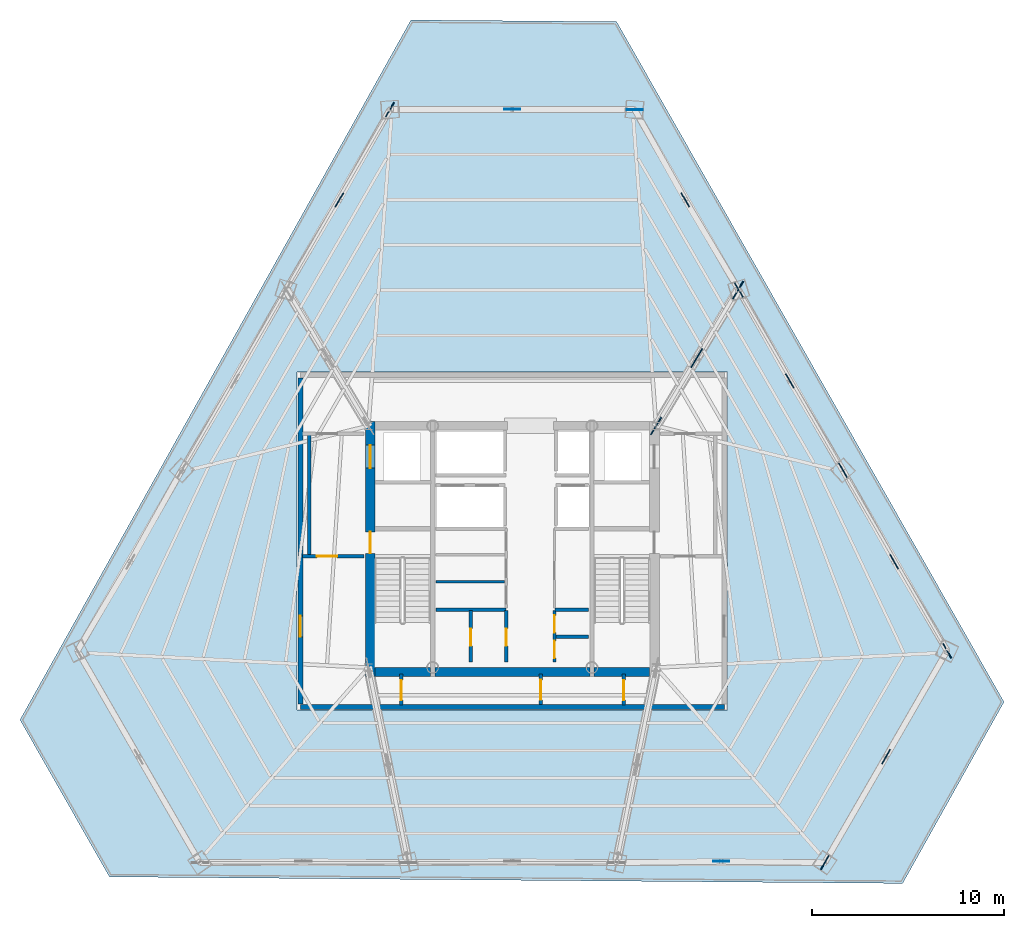
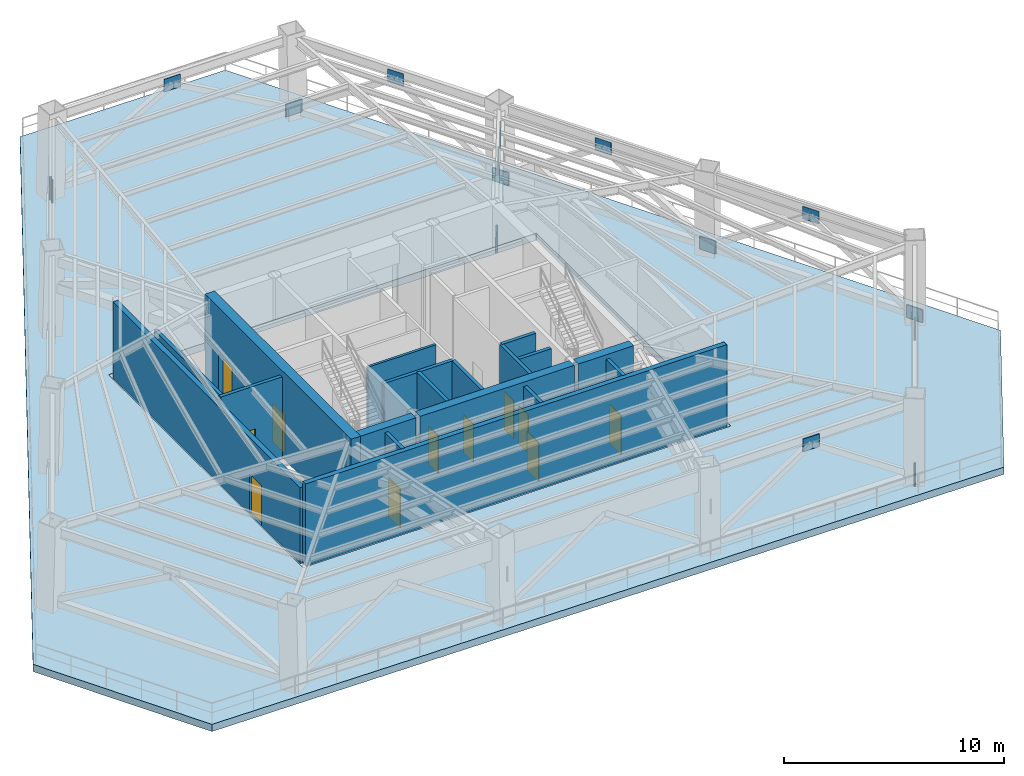
# One storey, part 5 of 12: 18 walls, 16 plates, 11 doors, 1 slab, 11 openings.
"""IFC4 building model written with IfcOpenShell, lengths in metres."""

from ifc_helpers import new_model, si_unit, direction, frame, frame_2d, origin, origin_2d, place, context, subcontext, project, spatial, polyline, rectangle, outline, extrude, source, transform, mapped, material, layer, layer_set, type_object, type_shapes, element, fill, save


model = new_model("IFC4")

# Units and contexts
model_context = context("Model", 3, precision=1e-05, world=origin(), true_north=direction((0.0, 1.0)))
body_context = subcontext(model_context, "Body", "Model", "MODEL_VIEW")
ifc_project = project(units=[si_unit("LENGTHUNIT", "METRE"), si_unit("AREAUNIT", "SQUARE_METRE"), si_unit("VOLUMEUNIT", "CUBIC_METRE"), si_unit("PLANEANGLEUNIT", "RADIAN"), si_unit("MASSUNIT", "GRAM", prefix="KILO")], contexts=[model_context])

# Site, building, storey
site_placement = place(None, origin())
site = spatial("IfcSite", under=ifc_project, at=site_placement, CompositionType="ELEMENT")
building_placement = place(site_placement, origin())
building = spatial("IfcBuilding", under=site, at=building_placement, Name="Caelisora Broadcast Tower", CompositionType="ELEMENT")
storey_placement = place(building_placement, frame((0.0, 0.0, 150.050048828125)))
storey = spatial("IfcBuildingStorey", under=building, at=storey_placement, Name="L39", CompositionType="ELEMENT", Elevation=150.050048828125)

# Slab
ifc_material_1 = material(Name="Concrete 50 MPa (AS 3600 S50)", Category="concrete")
ifc_layer_1 = layer(ifc_material_1, 0.39990234375, Name="Concrete 50 MPa (AS 3600 S50)")
ifc_layer_set_1 = layer_set([ifc_layer_1], Name="Concrete 50 MPa (AS 3600 S50)")
slab_type = type_object("IfcSlabType", Name="TR02", PredefinedType="FLOOR", material=ifc_layer_set_1)
slab_placement = place(storey_placement, frame((0.0, 0.0, -0.400146484375)))
element("IfcSlab", 1, at=slab_placement, inside=storey, type_object=slab_type, Name="L39 outdoor terrace slab TR02", PredefinedType="FLOOR", context=body_context, shape_type="SweptSolid", body=[
    extrude(outline(polyline([(63.6298828125, 15.610107421875), (58.346923828125, 6.152099609375), (16.9990234375, 6.493896484375), (12.339111328125, 14.677001953125), (32.717041015625, 51.156982421875), (43.43701171875, 51.069091796875), (63.6298828125, 15.610107421875)]), holes=[polyline([(49.199951171875, 15.179931640625), (49.201904296875, 15.179931640625), (49.2041015625, 15.179931640625), (49.2060546875, 15.180908203125), (49.2080078125, 15.181884765625), (49.208984375, 15.181884765625), (49.2109375, 15.18310546875), (49.212890625, 15.18505859375), (49.214111328125, 15.18603515625), (49.215087890625, 15.18701171875), (49.217041015625, 15.18896484375), (49.218017578125, 15.19091796875), (49.218017578125, 15.19189453125), (49.218994140625, 15.194091796875), (49.219970703125, 15.196044921875), (49.219970703125, 15.197998046875), (49.219970703125, 15.199951171875), (49.219970703125, 32.800048828125), (49.219970703125, 32.802001953125), (49.219970703125, 32.803955078125), (49.218994140625, 32.805908203125), (49.218017578125, 32.80810546875), (49.218017578125, 32.80908203125), (49.217041015625, 32.81103515625), (49.215087890625, 32.81298828125), (49.214111328125, 32.81396484375), (49.212890625, 32.81494140625), (49.2109375, 32.81689453125), (49.208984375, 32.818115234375), (49.2080078125, 32.818115234375), (49.2060546875, 32.819091796875), (49.2041015625, 32.820068359375), (49.201904296875, 32.820068359375), (49.199951171875, 32.820068359375), (26.800048828125, 32.820068359375), (26.798095703125, 32.820068359375), (26.7958984375, 32.820068359375), (26.7939453125, 32.819091796875), (26.7919921875, 32.818115234375), (26.791015625, 32.818115234375), (26.7890625, 32.81689453125), (26.787109375, 32.81494140625), (26.785888671875, 32.81396484375), (26.784912109375, 32.81298828125), (26.782958984375, 32.81103515625), (26.781982421875, 32.80908203125), (26.781982421875, 32.80810546875), (26.781005859375, 32.805908203125), (26.780029296875, 32.803955078125), (26.780029296875, 32.802001953125), (26.780029296875, 32.800048828125), (26.780029296875, 15.199951171875), (26.780029296875, 15.197998046875), (26.780029296875, 15.196044921875), (26.781005859375, 15.194091796875), (26.781982421875, 15.19189453125), (26.781982421875, 15.19091796875), (26.782958984375, 15.18896484375), (26.784912109375, 15.18701171875), (26.785888671875, 15.18603515625), (26.787109375, 15.18505859375), (26.7890625, 15.18310546875), (26.791015625, 15.181884765625), (26.7919921875, 15.181884765625), (26.7939453125, 15.180908203125), (26.7958984375, 15.179931640625), (26.798095703125, 15.179931640625), (26.800048828125, 15.179931640625), (49.199951171875, 15.179931640625)])]), origin(), (0.0, 0.0, 1.0), 0.400146484375),
])

# Plates
ifc_material_2 = material(Name="Steel Grade 350 L15 (AS/NZS 3678)", Category="steel")
ifc_layer_2 = layer(ifc_material_2, 0.050048828125, Name="Steel Grade 350 L15 (AS/NZS 3678)")
ifc_layer_set_2 = layer_set([ifc_layer_2], Name="Steel Grade 350 L15 (AS/NZS 3678)")
plate_type_1 = type_object("IfcPlateType", Name="GP03", PredefinedType="USERDEFINED", material=ifc_layer_set_2)
shared_shape_1 = source(origin(), body_context, "Body", "SweptSolid", [
    extrude(rectangle(XDim=0.85009765625, YDim=0.050048828125, at=origin_2d()), origin(), (0.0, 0.0, 1.0), 0.699951171875),
])
type_shapes(plate_type_1, [shared_shape_1])
for number, where, z_axis, x_axis, name in (
    (2, (44.378173828125, 46.488037109375, 0.0), (0.0, 0.0, 1.0), (-1.0, 0.0, 0.0), "L39 gusset plate GP03 (ND-BT-L39-01B)"),
    (3, (38.0, 46.494384765625, 3.6201171875), (0.0, 0.0, 1.0), (-1.0, 0.0, 0.0), "L39 gusset plate GP03 (ND-BT-L39-01M)"),
    (4, (31.621826171875, 46.488037109375, 0.0), (0.0, 0.0, 1.0), (-0.5, -0.866025403784, 0.0), "L39 gusset plate GP03 (ND-BT-L39-02B)"),
    (5, (28.98583984375, 41.779052734375, 3.6201171875), (0.0, 0.0, 1.0), (-0.5, -0.866025403784, 0.0), "L39 gusset plate GP03 (ND-BT-L39-02M)"),
    (6, (48.889892578125, 7.303955078125, 3.6201171875), (0.0, 0.0, 1.0), (1.0, 0.0, 0.0), "L39 gusset plate GP03 (ND-BT-L39-08M)"),
    (7, (54.2861328125, 7.232421875, 0.0), (0.0, 0.0, 1.0), (0.5, 0.866025403784, 0.0), "L39 gusset plate GP03 (ND-BT-L39-09B)"),
    (8, (57.480712890625, 12.752685546875, 3.6201171875), (0.0, 0.0, 1.0), (0.5, 0.866025403784, 0.0), "L39 gusset plate GP03 (ND-BT-L39-09M)"),
    (9, (60.664306640625, 18.279541015625, 0.0), (0.0, 0.0, 1.0), (-0.5, 0.866025403784, 0.0), "L39 gusset plate GP03 (ND-BT-L39-10B)"),
    (10, (57.904052734375, 22.9169921875, 3.6201171875), (0.0, 0.0, 1.0), (-0.5, 0.866025403784, 0.0), "L39 gusset plate GP03 (ND-BT-L39-10M)"),
    (11, (55.235595703125, 27.682373046875, 0.0), (0.0, 0.0, 1.0), (-0.5, 0.866025403784, 0.0), "L39 gusset plate GP03 (ND-BT-L39-11B)"),
    (12, (52.458984375, 32.347900390625, 3.6201171875), (0.0, 0.0, 1.0), (-0.5, 0.866025403784, 0.0), "L39 gusset plate GP03 (ND-BT-L39-11M)"),
    (13, (49.806884765625, 37.085205078125, 0.0), (0.0, 0.0, 1.0), (-0.5, 0.866025403784, 0.0), "L39 gusset plate GP03 (ND-BT-L39-12B)"),
    (14, (47.01416015625, 41.779052734375, 3.6201171875), (0.0, 0.0, 1.0), (-0.5, 0.866025403784, 0.0), "L39 gusset plate GP03 (ND-BT-L39-12M)"),
):
    element("IfcPlate", number, at=place(storey_placement, frame(where, z_axis=z_axis, x_axis=x_axis)), inside=storey, type_object=plate_type_1, Name=name, ObjectType="GUSSET PLATE", PredefinedType="USERDEFINED", context=body_context, shape_type="MappedRepresentation", body=[
        mapped(shared_shape_1, transform((0.0, 0.0, 0.0), scale=1.0)),
    ])
ifc_layer_3 = layer(ifc_material_2, 0.06005859375, Name="Steel Grade 350 L15 (AS/NZS 3678)")
ifc_layer_set_3 = layer_set([ifc_layer_3], Name="Steel Grade 350 L15 (AS/NZS 3678)")
plate_type_2 = type_object("IfcPlateType", Name="GP02", PredefinedType="USERDEFINED", material=ifc_layer_set_3)
shared_shape_2 = source(origin(), body_context, "Body", "SweptSolid", [
    extrude(rectangle(XDim=1.050048828125, YDim=0.06005859375, at=origin_2d()), origin(), (0.0, 0.0, 1.0), 0.800048828125),
])
for number, where, z_axis, x_axis, name in (
    (15, (45.5, 30.0, 2.27978515625), (0.0, 0.0, 1.0), (0.516234403806, 0.856447336576, 0.0), "L39 gusset plate GP02 (ND-OR-L39-3A)"),
    (16, (49.76171875, 37.0712890625, 2.27978515625), (0.0, 0.0, 1.0), (0.516234403806, 0.856447336576, 0.0), "L39 gusset plate GP02 (ND-OR-L39-3B)"),
):
    element("IfcPlate", number, at=place(storey_placement, frame(where, z_axis=z_axis, x_axis=x_axis)), inside=storey, type_object=plate_type_2, Name=name, ObjectType="GUSSET PLATE", PredefinedType="USERDEFINED", context=body_context, shape_type="MappedRepresentation", body=[
        mapped(shared_shape_2, transform((0.0, 0.0, 0.0), scale=1.0)),
    ])
shared_shape_3 = source(origin(), body_context, "Body", "SweptSolid", [
    extrude(rectangle(XDim=1.14990234375, YDim=0.06005859375, at=origin_2d()), origin(), (0.0, 0.0, 1.0), 0.800048828125),
])
type_shapes(plate_type_2, [shared_shape_2, shared_shape_3])
plate_placement = place(storey_placement, frame((47.61669921875, 33.53125, 3.72998046875), z_axis=(0.0, 0.0, 1.0), x_axis=(0.516234403806, 0.856447336576, 0.0)))
element("IfcPlate", 17, at=plate_placement, inside=storey, type_object=plate_type_2, Name="L39 gusset plate GP02 (ND-OR-L39-3M)", ObjectType="GUSSET PLATE", PredefinedType="USERDEFINED", context=body_context, shape_type="MappedRepresentation", body=[
    mapped(shared_shape_3, transform((0.0, 0.0, 0.0), scale=1.0)),
])

# Wall, openings, doors
ifc_layer_4 = layer(ifc_material_1, 0.5, Name="Concrete 50 MPa (AS 3600 S50)")
ifc_layer_set_4 = layer_set([ifc_layer_4], Name="Concrete 50 MPa (AS 3600 S50)")
wall_type_1 = type_object("IfcWallType", Name="CW2", PredefinedType="SHEAR", material=ifc_layer_set_4)
wall_1_placement = place(storey_placement, frame((30.590087890625, 16.949951171875, 0.0), z_axis=(0.0, 0.0, 1.0), x_axis=(0.0, 1.0, 0.0)))
wall_1 = element("IfcWall", 18, at=wall_1_placement, inside=storey, type_object=wall_type_1, Name="L39 core shear wall CW2", PredefinedType="SHEAR", context=body_context, shape_type="SweptSolid", body=[
    extrude(rectangle(XDim=13.275146484375, YDim=0.5, at=frame_2d((6.6376953125, 0.0))), origin(), (0.0, 0.0, 1.0), 4.800048828125),
])
opening_1_placement = place(wall_1_placement, frame((6.39990234375, 0.0, 0.0)))
opening_1 = element("IfcOpeningElement", 19, at=opening_1_placement, cuts=wall_1, Name="Opening FD04", PredefinedType="OPENING", context=body_context, shape_type="SweptSolid", body=[
    extrude(rectangle(XDim=1.1201171875, YDim=2.14990234375, at=frame_2d((0.56005859375, 1.074951171875))), frame((0.0, 0.261962890625, 0.0), z_axis=(0.0, -1.0, 0.0), x_axis=(1.0, 0.0, 0.0)), (0.0, 0.0, 1.0), 0.52392578125),
])
opening_2_placement = place(wall_1_placement, frame((10.85009765625, 0.0, 0.0)))
opening_2 = element("IfcOpeningElement", 20, at=opening_2_placement, cuts=wall_1, Name="Opening LD04", PredefinedType="OPENING", context=body_context, shape_type="SweptSolid", body=[
    extrude(rectangle(XDim=1.199951171875, YDim=2.199951171875, at=frame_2d((0.60009765625, 1.10009765625))), frame((0.0, 0.261962890625, 0.0), z_axis=(0.0, -1.0, 0.0), x_axis=(1.0, 0.0, 0.0)), (0.0, 0.0, 1.0), 0.52392578125),
])
ifc_material_3 = material(Name="Pressurised Fire-Isolated Stair Door", Category="steel")
door_type_1 = type_object("IfcDoorType", Name="FD04", OperationType="NOTDEFINED", PredefinedType="DOOR", material=ifc_material_3)
door_1_placement = place(opening_1_placement, origin())
door_1 = element("IfcDoor", 21, at=door_1_placement, inside=storey, type_object=door_type_1, Name="L39 door FD04 (L39-DR-ST1)", OperationType="SINGLE_SWING_LEFT", OverallHeight=2.14990234375, OverallWidth=1.1201171875, PredefinedType="DOOR", context=body_context, shape_type="SweptSolid", body=[
    extrude(rectangle(XDim=1.1201171875, YDim=2.14990234375, at=frame_2d((0.56005859375, 1.074951171875))), frame((0.0, 0.02490234375, 0.0), z_axis=(0.0, -1.0, 0.0), x_axis=(1.0, 0.0, 0.0)), (0.0, 0.0, 1.0), 0.050048828125),
])
fill(opening_1, door_1)
ifc_material_4 = material(Name="Emergency Firefighting Lift Sliding Landing Door", Category="steel")
door_type_2 = type_object("IfcDoorType", Name="LD04", OperationType="NOTDEFINED", PredefinedType="DOOR", material=ifc_material_4)
door_2_placement = place(opening_2_placement, origin())
door_2 = element("IfcDoor", 22, at=door_2_placement, inside=storey, type_object=door_type_2, Name="L39 door LD04 (L39-LD-FFL1)", OperationType="SLIDING_TO_LEFT", OverallHeight=2.199951171875, OverallWidth=1.199951171875, PredefinedType="DOOR", context=body_context, shape_type="SweptSolid", body=[
    extrude(rectangle(XDim=1.199951171875, YDim=2.199951171875, at=frame_2d((0.60009765625, 1.10009765625))), frame((0.0, 0.02490234375, 0.0), z_axis=(0.0, -1.0, 0.0), x_axis=(1.0, 0.0, 0.0)), (0.0, 0.0, 1.0), 0.050048828125),
])
fill(opening_2, door_2)

# Walls
ifc_layer_5 = layer(ifc_material_1, 0.449951171875, Name="Concrete 50 MPa (AS 3600 S50)")
ifc_layer_set_5 = layer_set([ifc_layer_5], Name="Concrete 50 MPa (AS 3600 S50)")
wall_type_2 = type_object("IfcWallType", Name="CW5", PredefinedType="SHEAR", material=ifc_layer_set_5)
wall_2_placement = place(storey_placement, frame((30.840087890625, 17.175048828125, 0.0), z_axis=(0.0, 0.0, 1.0), x_axis=(1.0, 0.0, 0.0)))
element("IfcWall", 23, at=wall_2_placement, inside=storey, type_object=wall_type_2, Name="L39 core shear wall CW5", PredefinedType="SHEAR", context=body_context, shape_type="SweptSolid", body=[
    extrude(rectangle(XDim=2.89990234375, YDim=0.449951171875, at=frame_2d((1.449951171875, 0.0))), origin(), (0.0, 0.0, 1.0), 4.800048828125),
])
wall_3_placement = place(storey_placement, frame((33.9599609375, 17.175048828125, 0.0), z_axis=(0.0, 0.0, 1.0), x_axis=(1.0, 0.0, 0.0)))
element("IfcWall", 24, at=wall_3_placement, inside=storey, type_object=wall_type_2, Name="L39 core shear wall CW5", PredefinedType="SHEAR", context=body_context, shape_type="SweptSolid", body=[
    extrude(rectangle(XDim=8.080078125, YDim=0.449951171875, at=frame_2d((4.0400390625, 0.0))), origin(), (0.0, 0.0, 1.0), 4.800048828125),
])
wall_4_placement = place(storey_placement, frame((42.260009765625, 17.175048828125, 0.0), z_axis=(0.0, 0.0, 1.0), x_axis=(1.0, 0.0, 0.0)))
element("IfcWall", 25, at=wall_4_placement, inside=storey, type_object=wall_type_2, Name="L39 core shear wall CW5", PredefinedType="SHEAR", context=body_context, shape_type="SweptSolid", body=[
    extrude(rectangle(XDim=2.89990234375, YDim=0.449951171875, at=frame_2d((1.449951171875, 0.0))), origin(), (0.0, 0.0, 1.0), 4.800048828125),
])
ifc_material_5 = material(Name="Fire-Rated Acoustic Plant Enclosure Wall", Category="masonry")
ifc_layer_6 = layer(ifc_material_5, 0.260009765625, Name="Fire-Rated Acoustic Plant Enclosure Wall")
ifc_layer_set_6 = layer_set([ifc_layer_6], Name="Fire-Rated Acoustic Plant Enclosure Wall")
wall_type_3 = type_object("IfcWallType", Name="EW2", PredefinedType="STANDARD", material=ifc_layer_set_6)
wall_5_placement = place(storey_placement, frame((26.949951171875, 15.35009765625, 0.0), z_axis=(0.0, 0.0, 1.0), x_axis=(1.0, 0.0, 0.0)))
element("IfcWall", 26, at=wall_5_placement, inside=storey, type_object=wall_type_3, Name="L39 exterior envelope wall EW2", PredefinedType="STANDARD", context=body_context, shape_type="SweptSolid", body=[
    extrude(rectangle(XDim=22.10009765625, YDim=0.260009765625, at=frame_2d((11.050048828125, 0.0))), origin(), (0.0, 0.0, 1.0), 4.550048828125),
])

# Wall, opening, door
wall_6_placement = place(storey_placement, frame((26.949951171875, 15.5, 0.0), z_axis=(0.0, 0.0, 1.0), x_axis=(0.0, 1.0, 0.0)))
wall_6 = element("IfcWall", 27, at=wall_6_placement, inside=storey, type_object=wall_type_3, Name="L39 exterior envelope wall EW2", PredefinedType="STANDARD", context=body_context, shape_type="SweptSolid", body=[
    extrude(rectangle(XDim=17.0, YDim=0.260009765625, at=frame_2d((8.5, 0.0))), origin(), (0.0, 0.0, 1.0), 4.227783203125),
])
opening_3_placement = place(wall_6_placement, frame((3.5, 0.0, 0.0)))
opening_3 = element("IfcOpeningElement", 28, at=opening_3_placement, cuts=wall_6, Name="Opening D04", PredefinedType="OPENING", context=body_context, shape_type="SweptSolid", body=[
    extrude(rectangle(XDim=1.10009765625, YDim=2.199951171875, at=frame_2d((0.550048828125, 1.10009765625))), frame((0.0, 0.14208984375, 0.0), z_axis=(0.0, -1.0, 0.0), x_axis=(1.0, 0.0, 0.0)), (0.0, 0.0, 1.0), 0.283935546875),
])
ifc_material_6 = material(Name="Aluminium Framed Double-Glazed Terrace Door", Category="aluminium")
door_type_3 = type_object("IfcDoorType", Name="D04", OperationType="NOTDEFINED", PredefinedType="DOOR", material=ifc_material_6)
door_3_placement = place(opening_3_placement, origin())
door_3 = element("IfcDoor", 29, at=door_3_placement, inside=storey, type_object=door_type_3, Name="L39 door D04 (L39-DR-REF-W)", OperationType="SINGLE_SWING_LEFT", OverallHeight=2.199951171875, OverallWidth=1.10009765625, PredefinedType="DOOR", context=body_context, shape_type="SweptSolid", body=[
    extrude(rectangle(XDim=1.10009765625, YDim=2.199951171875, at=frame_2d((0.550048828125, 1.10009765625))), frame((0.0, 0.02490234375, 0.0), z_axis=(0.0, -1.0, 0.0), x_axis=(1.0, 0.0, 0.0)), (0.0, 0.0, 1.0), 0.050048828125),
])
fill(opening_3, door_3)

# Wall
ifc_material_7 = material(Name="Fire-Rated Gypsum Shaft and Compartment Wall", Category="gypsum")
ifc_layer_7 = layer(ifc_material_7, 0.179931640625, Name="Fire-Rated Gypsum Shaft and Compartment Wall")
ifc_layer_set_7 = layer_set([ifc_layer_7], Name="Fire-Rated Gypsum Shaft and Compartment Wall")
wall_type_4 = type_object("IfcWallType", Name="PW2", PredefinedType="PARTITIONING", material=ifc_layer_set_7)
wall_7_placement = place(storey_placement, frame((27.419921875, 23.199951171875, 0.0), z_axis=(0.0, 0.0, 1.0), x_axis=(0.0, 1.0, 0.0)))
element("IfcWall", 30, at=wall_7_placement, inside=storey, type_object=wall_type_4, Name="L39 fire compartment wall PW2", PredefinedType="PARTITIONING", context=body_context, shape_type="SweptSolid", body=[
    extrude(rectangle(XDim=6.400146484375, YDim=0.179931640625, at=frame_2d((3.2001953125, 0.0))), origin(), (0.0, 0.0, 1.0), 4.227783203125),
])

# Wall, opening, door
wall_8_placement = place(storey_placement, frame((27.06494140625, 23.199951171875, 0.0), z_axis=(0.0, 0.0, 1.0), x_axis=(1.0, 0.0, 0.0)))
wall_8 = element("IfcWall", 31, at=wall_8_placement, inside=storey, type_object=wall_type_4, Name="L39 fire compartment wall PW2", PredefinedType="PARTITIONING", context=body_context, shape_type="SweptSolid", body=[
    extrude(rectangle(XDim=3.215087890625, YDim=0.179931640625, at=frame_2d((1.607421875, 0.0))), origin(), (0.0, 0.0, 1.0), 4.550048828125),
])
opening_4_placement = place(wall_8_placement, frame((0.75, 0.0, 0.0)))
opening_4 = element("IfcOpeningElement", 32, at=opening_4_placement, cuts=wall_8, Name="Opening FD02", PredefinedType="OPENING", context=body_context, shape_type="SweptSolid", body=[
    extrude(rectangle(XDim=1.050048828125, YDim=2.14990234375, at=frame_2d((0.52490234375, 1.074951171875))), frame((0.0, 0.10205078125, 0.0), z_axis=(0.0, -1.0, 0.0), x_axis=(1.0, 0.0, 0.0)), (0.0, 0.0, 1.0), 0.203857421875),
])
ifc_material_8 = material(Name="Single-Leaf Steel Fire Lobby Door", Category="steel")
door_type_4 = type_object("IfcDoorType", Name="FD02", OperationType="NOTDEFINED", PredefinedType="DOOR", material=ifc_material_8)
door_4_placement = place(opening_4_placement, origin())
door_4 = element("IfcDoor", 33, at=door_4_placement, inside=storey, type_object=door_type_4, Name="L39 door FD02 (L39-DR-P02D1)", OperationType="SINGLE_SWING_LEFT", OverallHeight=2.14990234375, OverallWidth=1.050048828125, PredefinedType="DOOR", context=body_context, shape_type="SweptSolid", body=[
    extrude(rectangle(XDim=1.050048828125, YDim=2.14990234375, at=frame_2d((0.52490234375, 1.074951171875))), frame((0.0, 0.02490234375, 0.0), z_axis=(0.0, -1.0, 0.0), x_axis=(1.0, 0.0, 0.0)), (0.0, 0.0, 1.0), 0.050048828125),
])
fill(opening_4, door_4)

# Walls
wall_9_placement = place(storey_placement, frame((34.02001953125, 20.419921875, 0.0), z_axis=(0.0, 0.0, 1.0), x_axis=(1.0, 0.0, 0.0)))
element("IfcWall", 34, at=wall_9_placement, inside=storey, type_object=wall_type_4, Name="L39 fire compartment wall PW2", PredefinedType="PARTITIONING", context=body_context, shape_type="SweptSolid", body=[
    extrude(rectangle(XDim=3.639892578125, YDim=0.179931640625, at=frame_2d((1.81982421875, 0.0))), origin(), (0.0, 0.0, 1.0), 4.550048828125),
])
wall_10_placement = place(storey_placement, frame((40.219970703125, 20.419921875, 0.0), z_axis=(0.0, 0.0, 1.0), x_axis=(1.0, 0.0, 0.0)))
element("IfcWall", 35, at=wall_10_placement, inside=storey, type_object=wall_type_4, Name="L39 fire compartment wall PW2", PredefinedType="PARTITIONING", context=body_context, shape_type="SweptSolid", body=[
    extrude(rectangle(XDim=1.760009765625, YDim=0.179931640625, at=frame_2d((0.8798828125, 0.0))), origin(), (0.0, 0.0, 1.0), 4.550048828125),
])

# Wall, opening, door
wall_11_placement = place(storey_placement, frame((35.840087890625, 17.679931640625, 0.0), z_axis=(0.0, 0.0, 1.0), x_axis=(0.0, 1.0, 0.0)))
wall_11 = element("IfcWall", 36, at=wall_11_placement, inside=storey, type_object=wall_type_4, Name="L39 fire compartment wall PW2", PredefinedType="PARTITIONING", context=body_context, shape_type="SweptSolid", body=[
    extrude(rectangle(XDim=2.699951171875, YDim=0.179931640625, at=frame_2d((1.35009765625, 0.0))), origin(), (0.0, 0.0, 1.0), 4.550048828125),
])
opening_5_placement = place(wall_11_placement, frame((0.85009765625, 0.0, 0.0)))
opening_5 = element("IfcOpeningElement", 37, at=opening_5_placement, cuts=wall_11, Name="Opening FD03", PredefinedType="OPENING", context=body_context, shape_type="SweptSolid", body=[
    extrude(rectangle(XDim=0.89990234375, YDim=2.10009765625, at=frame_2d((0.449951171875, 1.050048828125))), frame((0.0, 0.10205078125, 0.0), z_axis=(0.0, -1.0, 0.0), x_axis=(1.0, 0.0, 0.0)), (0.0, 0.0, 1.0), 0.203857421875),
])
ifc_material_9 = material(Name="Single-Leaf Steel Riser Fire Access Door", Category="steel")
door_type_5 = type_object("IfcDoorType", Name="FD03", OperationType="NOTDEFINED", PredefinedType="DOOR", material=ifc_material_9)
door_5_placement = place(opening_5_placement, origin())
door_5 = element("IfcDoor", 38, at=door_5_placement, inside=storey, type_object=door_type_5, Name="L39 door FD03 (L39-DR-P15D1)", OperationType="SINGLE_SWING_LEFT", OverallHeight=2.10009765625, OverallWidth=0.89990234375, PredefinedType="DOOR", context=body_context, shape_type="SweptSolid", body=[
    extrude(rectangle(XDim=0.89990234375, YDim=2.10009765625, at=frame_2d((0.449951171875, 1.050048828125))), frame((0.0, 0.02490234375, 0.0), z_axis=(0.0, -1.0, 0.0), x_axis=(1.0, 0.0, 0.0)), (0.0, 0.0, 1.0), 0.050048828125),
])
fill(opening_5, door_5)

wall_12_placement = place(storey_placement, frame((37.679931640625, 17.679931640625, 0.0), z_axis=(0.0, 0.0, 1.0), x_axis=(0.0, 1.0, 0.0)))
wall_12 = element("IfcWall", 39, at=wall_12_placement, inside=storey, type_object=wall_type_4, Name="L39 fire compartment wall PW2", PredefinedType="PARTITIONING", context=body_context, shape_type="SweptSolid", body=[
    extrude(rectangle(XDim=2.699951171875, YDim=0.179931640625, at=frame_2d((1.35009765625, 0.0))), origin(), (0.0, 0.0, 1.0), 4.550048828125),
])
opening_6_placement = place(wall_12_placement, frame((0.85009765625, 0.0, 0.0)))
opening_6 = element("IfcOpeningElement", 40, at=opening_6_placement, cuts=wall_12, Name="Opening FD03", PredefinedType="OPENING", context=body_context, shape_type="SweptSolid", body=[
    extrude(rectangle(XDim=0.89990234375, YDim=2.10009765625, at=frame_2d((0.449951171875, 1.050048828125))), frame((0.0, 0.10205078125, 0.0), z_axis=(0.0, -1.0, 0.0), x_axis=(1.0, 0.0, 0.0)), (0.0, 0.0, 1.0), 0.203857421875),
])
door_6_placement = place(opening_6_placement, origin())
door_6 = element("IfcDoor", 41, at=door_6_placement, inside=storey, type_object=door_type_5, Name="L39 door FD03 (L39-DR-P16D1)", OperationType="SINGLE_SWING_RIGHT", OverallHeight=2.10009765625, OverallWidth=0.89990234375, PredefinedType="DOOR", context=body_context, shape_type="SweptSolid", body=[
    extrude(rectangle(XDim=0.89990234375, YDim=2.10009765625, at=frame_2d((0.449951171875, 1.050048828125))), frame((0.0, 0.02490234375, 0.0), z_axis=(0.0, -1.0, 0.0), x_axis=(1.0, 0.0, 0.0)), (0.0, 0.0, 1.0), 0.050048828125),
])
fill(opening_6, door_6)

# Wall
wall_13_placement = place(storey_placement, frame((40.280029296875, 19.02001953125, 0.0), z_axis=(0.0, 0.0, 1.0), x_axis=(1.0, 0.0, 0.0)))
element("IfcWall", 42, at=wall_13_placement, inside=storey, type_object=wall_type_4, Name="L39 fire compartment wall PW2", PredefinedType="PARTITIONING", context=body_context, shape_type="SweptSolid", body=[
    extrude(rectangle(XDim=1.699951171875, YDim=0.179931640625, at=frame_2d((0.85009765625, 0.0))), origin(), (0.0, 0.0, 1.0), 4.550048828125),
])

# Wall, openings, doors
wall_14_placement = place(storey_placement, frame((40.199951171875, 17.679931640625, 0.0), z_axis=(0.0, 0.0, 1.0), x_axis=(0.0, 1.0, 0.0)))
wall_14 = element("IfcWall", 43, at=wall_14_placement, inside=storey, type_object=wall_type_4, Name="L39 fire compartment wall PW2", PredefinedType="PARTITIONING", context=body_context, shape_type="SweptSolid", body=[
    extrude(rectangle(XDim=2.699951171875, YDim=0.179931640625, at=frame_2d((1.35009765625, 0.0))), origin(), (0.0, 0.0, 1.0), 4.550048828125),
])
opening_7_placement = place(wall_14_placement, frame((0.219970703125, 0.0, 0.0)))
opening_7 = element("IfcOpeningElement", 44, at=opening_7_placement, cuts=wall_14, Name="Opening FD03", PredefinedType="OPENING", context=body_context, shape_type="SweptSolid", body=[
    extrude(rectangle(XDim=0.89990234375, YDim=2.10009765625, at=frame_2d((0.449951171875, 1.050048828125))), frame((0.0, 0.10205078125, 0.0), z_axis=(0.0, -1.0, 0.0), x_axis=(1.0, 0.0, 0.0)), (0.0, 0.0, 1.0), 0.203857421875),
])
opening_8_placement = place(wall_14_placement, frame((1.5400390625, 0.0, 0.0)))
opening_8 = element("IfcOpeningElement", 45, at=opening_8_placement, cuts=wall_14, Name="Opening FD03", PredefinedType="OPENING", context=body_context, shape_type="SweptSolid", body=[
    extrude(rectangle(XDim=0.89990234375, YDim=2.10009765625, at=frame_2d((0.449951171875, 1.050048828125))), frame((0.0, 0.10205078125, 0.0), z_axis=(0.0, -1.0, 0.0), x_axis=(1.0, 0.0, 0.0)), (0.0, 0.0, 1.0), 0.203857421875),
])
door_7_placement = place(opening_7_placement, origin())
door_7 = element("IfcDoor", 46, at=door_7_placement, inside=storey, type_object=door_type_5, Name="L39 door FD03 (L39-DR-P18D1)", OperationType="SINGLE_SWING_LEFT", OverallHeight=2.10009765625, OverallWidth=0.89990234375, PredefinedType="DOOR", context=body_context, shape_type="SweptSolid", body=[
    extrude(rectangle(XDim=0.89990234375, YDim=2.10009765625, at=frame_2d((0.449951171875, 1.050048828125))), frame((0.0, 0.02490234375, 0.0), z_axis=(0.0, -1.0, 0.0), x_axis=(1.0, 0.0, 0.0)), (0.0, 0.0, 1.0), 0.050048828125),
])
fill(opening_7, door_7)
door_8_placement = place(opening_8_placement, origin())
door_8 = element("IfcDoor", 47, at=door_8_placement, inside=storey, type_object=door_type_5, Name="L39 door FD03 (L39-DR-P18D2)", OperationType="SINGLE_SWING_RIGHT", OverallHeight=2.10009765625, OverallWidth=0.89990234375, PredefinedType="DOOR", context=body_context, shape_type="SweptSolid", body=[
    extrude(rectangle(XDim=0.89990234375, YDim=2.10009765625, at=frame_2d((0.449951171875, 1.050048828125))), frame((0.0, 0.02490234375, 0.0), z_axis=(0.0, -1.0, 0.0), x_axis=(1.0, 0.0, 0.0)), (0.0, 0.0, 1.0), 0.050048828125),
])
fill(opening_8, door_8)

# Wall, opening, door
wall_15_placement = place(storey_placement, frame((32.199951171875, 15.449951171875, 0.0), z_axis=(0.0, 0.0, 1.0), x_axis=(0.0, 1.0, 0.0)))
wall_15 = element("IfcWall", 48, at=wall_15_placement, inside=storey, type_object=wall_type_4, Name="L39 fire compartment wall PW2", PredefinedType="PARTITIONING", context=body_context, shape_type="SweptSolid", body=[
    extrude(rectangle(XDim=1.630126953125, YDim=0.179931640625, at=frame_2d((0.81494140625, 0.0))), origin(), (0.0, 0.0, 1.0), 4.550048828125),
])
opening_9_placement = place(wall_15_placement, frame((0.25, 0.0, 0.0)))
opening_9 = element("IfcOpeningElement", 49, at=opening_9_placement, cuts=wall_15, Name="Opening FD02", PredefinedType="OPENING", context=body_context, shape_type="SweptSolid", body=[
    extrude(rectangle(XDim=1.050048828125, YDim=2.14990234375, at=frame_2d((0.52490234375, 1.074951171875))), frame((0.0, 0.10205078125, 0.0), z_axis=(0.0, -1.0, 0.0), x_axis=(1.0, 0.0, 0.0)), (0.0, 0.0, 1.0), 0.203857421875),
])
door_9_placement = place(opening_9_placement, origin())
door_9 = element("IfcDoor", 50, at=door_9_placement, inside=storey, type_object=door_type_4, Name="L39 door FD02 (L39-DR-P19D1)", OperationType="SINGLE_SWING_LEFT", OverallHeight=2.14990234375, OverallWidth=1.050048828125, PredefinedType="DOOR", context=body_context, shape_type="SweptSolid", body=[
    extrude(rectangle(XDim=1.050048828125, YDim=2.14990234375, at=frame_2d((0.52490234375, 1.074951171875))), frame((0.0, 0.02490234375, 0.0), z_axis=(0.0, -1.0, 0.0), x_axis=(1.0, 0.0, 0.0)), (0.0, 0.0, 1.0), 0.050048828125),
])
fill(opening_9, door_9)

wall_16_placement = place(storey_placement, frame((43.800048828125, 15.449951171875, 0.0), z_axis=(0.0, 0.0, 1.0), x_axis=(0.0, 1.0, 0.0)))
wall_16 = element("IfcWall", 51, at=wall_16_placement, inside=storey, type_object=wall_type_4, Name="L39 fire compartment wall PW2", PredefinedType="PARTITIONING", context=body_context, shape_type="SweptSolid", body=[
    extrude(rectangle(XDim=1.630126953125, YDim=0.179931640625, at=frame_2d((0.81494140625, 0.0))), origin(), (0.0, 0.0, 1.0), 4.550048828125),
])
opening_10_placement = place(wall_16_placement, frame((0.25, 0.0, 0.0)))
opening_10 = element("IfcOpeningElement", 52, at=opening_10_placement, cuts=wall_16, Name="Opening FD02", PredefinedType="OPENING", context=body_context, shape_type="SweptSolid", body=[
    extrude(rectangle(XDim=1.050048828125, YDim=2.14990234375, at=frame_2d((0.52490234375, 1.074951171875))), frame((0.0, 0.10205078125, 0.0), z_axis=(0.0, -1.0, 0.0), x_axis=(1.0, 0.0, 0.0)), (0.0, 0.0, 1.0), 0.203857421875),
])
door_10_placement = place(opening_10_placement, origin())
door_10 = element("IfcDoor", 53, at=door_10_placement, inside=storey, type_object=door_type_4, Name="L39 door FD02 (L39-DR-P20D1)", OperationType="SINGLE_SWING_RIGHT", OverallHeight=2.14990234375, OverallWidth=1.050048828125, PredefinedType="DOOR", context=body_context, shape_type="SweptSolid", body=[
    extrude(rectangle(XDim=1.050048828125, YDim=2.14990234375, at=frame_2d((0.52490234375, 1.074951171875))), frame((0.0, 0.02490234375, 0.0), z_axis=(0.0, -1.0, 0.0), x_axis=(1.0, 0.0, 0.0)), (0.0, 0.0, 1.0), 0.050048828125),
])
fill(opening_10, door_10)

wall_17_placement = place(storey_placement, frame((39.47998046875, 15.465087890625, 0.0), z_axis=(0.0, 0.0, 1.0), x_axis=(0.0, 1.0, 0.0)))
wall_17 = element("IfcWall", 54, at=wall_17_placement, inside=storey, type_object=wall_type_4, Name="L39 fire compartment wall PW2", PredefinedType="PARTITIONING", context=body_context, shape_type="SweptSolid", body=[
    extrude(rectangle(XDim=1.614990234375, YDim=0.179931640625, at=frame_2d((0.8076171875, 0.0))), origin(), (0.0, 0.0, 1.0), 4.550048828125),
])
opening_11_placement = place(wall_17_placement, frame((0.25, 0.0, 0.0)))
opening_11 = element("IfcOpeningElement", 55, at=opening_11_placement, cuts=wall_17, Name="Opening FD02", PredefinedType="OPENING", context=body_context, shape_type="SweptSolid", body=[
    extrude(rectangle(XDim=1.050048828125, YDim=2.14990234375, at=frame_2d((0.52490234375, 1.074951171875))), frame((0.0, 0.10205078125, 0.0), z_axis=(0.0, -1.0, 0.0), x_axis=(1.0, 0.0, 0.0)), (0.0, 0.0, 1.0), 0.203857421875),
])
door_11_placement = place(opening_11_placement, origin())
door_11 = element("IfcDoor", 56, at=door_11_placement, inside=storey, type_object=door_type_4, Name="L39 door FD02 (L39-DR-P21D1)", OperationType="SINGLE_SWING_LEFT", OverallHeight=2.14990234375, OverallWidth=1.050048828125, PredefinedType="DOOR", context=body_context, shape_type="SweptSolid", body=[
    extrude(rectangle(XDim=1.050048828125, YDim=2.14990234375, at=frame_2d((0.52490234375, 1.074951171875))), frame((0.0, 0.02490234375, 0.0), z_axis=(0.0, -1.0, 0.0), x_axis=(1.0, 0.0, 0.0)), (0.0, 0.0, 1.0), 0.050048828125),
])
fill(opening_11, door_11)

# Wall
ifc_material_10 = material(Name="Acoustic Steel-Stud Plasterboard Partition", Category="gypsum")
ifc_layer_8 = layer(ifc_material_10, 0.1298828125, Name="Acoustic Steel-Stud Plasterboard Partition")
ifc_layer_set_8 = layer_set([ifc_layer_8], Name="Acoustic Steel-Stud Plasterboard Partition")
wall_type_5 = type_object("IfcWallType", Name="PW3", PredefinedType="PARTITIONING", material=ifc_layer_set_8)
wall_18_placement = place(storey_placement, frame((34.02001953125, 21.8798828125, 0.0), z_axis=(0.0, 0.0, 1.0), x_axis=(1.0, 0.0, 0.0)))
element("IfcWall", 57, at=wall_18_placement, inside=storey, type_object=wall_type_5, Name="L39 internal partition PW3", PredefinedType="PARTITIONING", context=body_context, shape_type="SweptSolid", body=[
    extrude(rectangle(XDim=3.580078125, YDim=0.1298828125, at=frame_2d((1.7900390625, 0.0))), origin(), (0.0, 0.0, 1.0), 4.550048828125),
])

save(model, "model.ifc")
